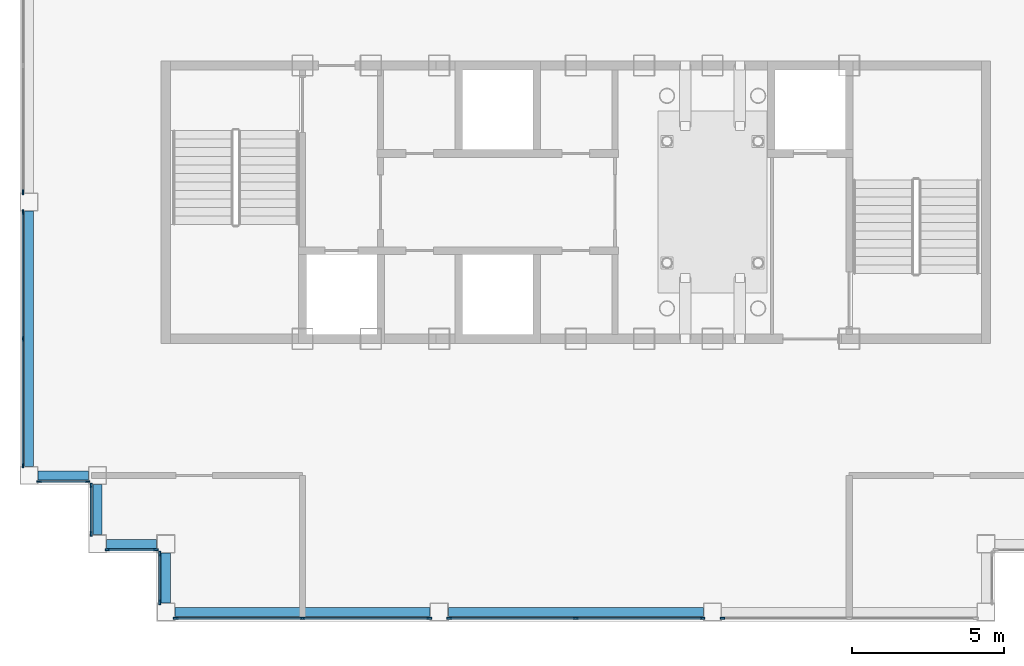
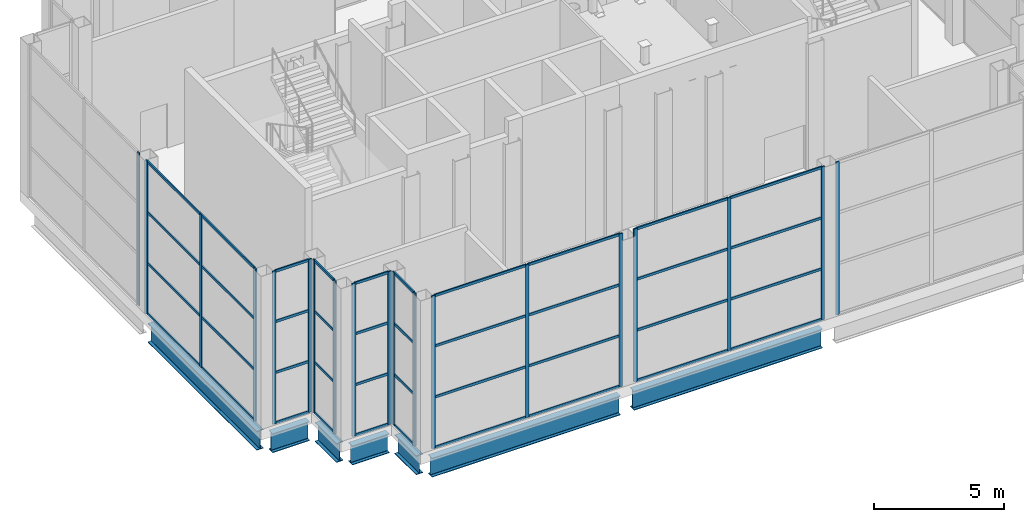
# One storey, part 2 of 15: 59 members, 7 beams, 9 elements without a shape of their own.
"""IFC4 building model written with IfcOpenShell, lengths in metres."""

from ifc_helpers import new_model, si_unit, direction, frame, origin, origin_2d, place, context, subcontext, project, spatial, rectangle, i_section, extrude, material, layer, layer_set, material_profile, profile_set, type_object, element, aggregate, save


model = new_model("IFC4")

# Units and contexts
model_context = context("Model", 3, precision=1e-05, world=origin(), true_north=direction((0.0, 1.0)))
body_context = subcontext(model_context, "Body", "Model", "MODEL_VIEW")
ifc_project = project(units=[si_unit("LENGTHUNIT", "METRE"), si_unit("AREAUNIT", "SQUARE_METRE"), si_unit("VOLUMEUNIT", "CUBIC_METRE"), si_unit("PLANEANGLEUNIT", "RADIAN"), si_unit("MASSUNIT", "GRAM", prefix="KILO")], contexts=[model_context])

# Site, building, storey
site_placement = place(None, origin())
site = spatial("IfcSite", under=ifc_project, at=site_placement, CompositionType="ELEMENT")
building_placement = place(site_placement, origin())
building = spatial("IfcBuilding", under=site, at=building_placement, Name="Caravel Reach Hotel and Residences", CompositionType="ELEMENT")
storey_placement = place(building_placement, frame((0.0, 0.0, 305.60009765625)))
storey = spatial("IfcBuildingStorey", under=building, at=storey_placement, Name="L78", CompositionType="ELEMENT", Elevation=305.60009765625)

# Curtain wall, member
ifc_material_1 = material(Name="Dark low-e glazing in black aluminium frame", Category="aluminium")
ifc_layer = layer(ifc_material_1, 0.199951171875)
ifc_layer_set = layer_set([ifc_layer], Name="CW3 Damper floor glass wall")
curtain_wall_type = type_object("IfcCurtainWallType", Name="CW3 Damper floor glass wall", PredefinedType="NOTDEFINED", material=ifc_layer_set)
curtain_wall_1_placement = place(storey_placement, origin())
curtain_wall_1 = element("IfcCurtainWall", 1, at=curtain_wall_1_placement, inside=storey, type_object=curtain_wall_type, Name="Damper floor glass wall b0", PredefinedType="NOTDEFINED")
ifc_material_2 = material(Name="Anodised aluminium alloy 6063-T5, black", Category="aluminium")
ifc_material_profile_1 = material_profile(ifc_material_2, rectangle(XDim=0.06005859375, YDim=0.159912109375, at=origin_2d()), Name="CW mullion 60 x 160")
ifc_profile_set_1 = profile_set([ifc_material_profile_1], Name="Anodised aluminium alloy 6063-T5, black")
member_type_1 = type_object("IfcMemberType", Name="CW mullion 60 x 160", PredefinedType="MULLION", material=ifc_profile_set_1)
member_1_placement = place(storey_placement, frame((13.300048828125, 27.330078125, 0.0), z_axis=(0.0, 0.0, 1.0), x_axis=(1.0, 0.0, 0.0)))
member_1 = element("IfcMember", 2, at=member_1_placement, type_object=member_type_1, Name="CW3 mullion 3", PredefinedType="MULLION", context=body_context, shape_type="SweptSolid", body=[
    extrude(rectangle(XDim=0.06005859375, YDim=0.159912109375, at=origin_2d()), origin(), (0.0, 0.0, 1.0), 7.199951171875),
])
aggregate(curtain_wall_1, [member_1])

# Curtain wall, members
curtain_wall_2_placement = place(storey_placement, origin())
curtain_wall_2 = element("IfcCurtainWall", 3, at=curtain_wall_2_placement, inside=storey, type_object=curtain_wall_type, Name="Damper floor glass wall b1", PredefinedType="NOTDEFINED")
member_2_placement = place(storey_placement, frame((13.300048828125, 26.669921875, 0.0), z_axis=(0.0, 0.0, 1.0), x_axis=(1.0, 0.0, 0.0)))
member_2 = element("IfcMember", 4, at=member_2_placement, type_object=member_type_1, Name="CW3 mullion 1", PredefinedType="MULLION", context=body_context, shape_type="SweptSolid", body=[
    extrude(rectangle(XDim=0.06005859375, YDim=0.159912109375, at=origin_2d()), origin(), (0.0, 0.0, 1.0), 7.199951171875),
])
member_3_placement = place(storey_placement, frame((13.300048828125, 22.5, 0.0), z_axis=(0.0, 0.0, 1.0), x_axis=(1.0, 0.0, 0.0)))
member_3 = element("IfcMember", 5, at=member_3_placement, type_object=member_type_1, Name="CW3 mullion 2", PredefinedType="MULLION", context=body_context, shape_type="SweptSolid", body=[
    extrude(rectangle(XDim=0.06005859375, YDim=0.159912109375, at=origin_2d()), origin(), (0.0, 0.0, 1.0), 7.199951171875),
])
member_4_placement = place(storey_placement, frame((13.300048828125, 18.330078125, 0.0), z_axis=(0.0, 0.0, 1.0), x_axis=(1.0, 0.0, 0.0)))
member_4 = element("IfcMember", 6, at=member_4_placement, type_object=member_type_1, Name="CW3 mullion 3", PredefinedType="MULLION", context=body_context, shape_type="SweptSolid", body=[
    extrude(rectangle(XDim=0.06005859375, YDim=0.159912109375, at=origin_2d()), origin(), (0.0, 0.0, 1.0), 7.199951171875),
])

curtain_wall_3_placement = place(storey_placement, origin())
curtain_wall_3 = element("IfcCurtainWall", 7, at=curtain_wall_3_placement, inside=storey, type_object=curtain_wall_type, Name="Damper floor glass wall b0", PredefinedType="NOTDEFINED")
member_5_placement = place(storey_placement, frame((13.830078125, 17.800048828125, 0.0), z_axis=(0.0, 0.0, 1.0), x_axis=(0.0, 1.0, 0.0)))
member_5 = element("IfcMember", 8, at=member_5_placement, type_object=member_type_1, Name="CW3 mullion 1", PredefinedType="MULLION", context=body_context, shape_type="SweptSolid", body=[
    extrude(rectangle(XDim=0.06005859375, YDim=0.159912109375, at=origin_2d()), origin(), (0.0, 0.0, 1.0), 7.199951171875),
])
member_6_placement = place(storey_placement, frame((15.419921875, 17.800048828125, 0.0), z_axis=(0.0, 0.0, 1.0), x_axis=(0.0, 1.0, 0.0)))
member_6 = element("IfcMember", 9, at=member_6_placement, type_object=member_type_1, Name="CW3 mullion 2", PredefinedType="MULLION", context=body_context, shape_type="SweptSolid", body=[
    extrude(rectangle(XDim=0.06005859375, YDim=0.159912109375, at=origin_2d()), origin(), (0.0, 0.0, 1.0), 7.199951171875),
])

curtain_wall_4_placement = place(storey_placement, origin())
curtain_wall_4 = element("IfcCurtainWall", 10, at=curtain_wall_4_placement, inside=storey, type_object=curtain_wall_type, Name="Damper floor glass wall b0", PredefinedType="NOTDEFINED")
member_7_placement = place(storey_placement, frame((15.550048828125, 17.669921875, 0.0), z_axis=(0.0, 0.0, 1.0), x_axis=(1.0, 0.0, 0.0)))
member_7 = element("IfcMember", 11, at=member_7_placement, type_object=member_type_1, Name="CW3 mullion 1", PredefinedType="MULLION", context=body_context, shape_type="SweptSolid", body=[
    extrude(rectangle(XDim=0.06005859375, YDim=0.159912109375, at=origin_2d()), origin(), (0.0, 0.0, 1.0), 7.199951171875),
])
member_8_placement = place(storey_placement, frame((15.550048828125, 16.080078125, 0.0), z_axis=(0.0, 0.0, 1.0), x_axis=(1.0, 0.0, 0.0)))
member_8 = element("IfcMember", 12, at=member_8_placement, type_object=member_type_1, Name="CW3 mullion 2", PredefinedType="MULLION", context=body_context, shape_type="SweptSolid", body=[
    extrude(rectangle(XDim=0.06005859375, YDim=0.159912109375, at=origin_2d()), origin(), (0.0, 0.0, 1.0), 7.199951171875),
])

curtain_wall_5_placement = place(storey_placement, origin())
curtain_wall_5 = element("IfcCurtainWall", 13, at=curtain_wall_5_placement, inside=storey, type_object=curtain_wall_type, Name="Damper floor glass wall b0", PredefinedType="NOTDEFINED")
member_9_placement = place(storey_placement, frame((16.080078125, 15.550048828125, 0.0), z_axis=(0.0, 0.0, 1.0), x_axis=(0.0, 1.0, 0.0)))
member_9 = element("IfcMember", 14, at=member_9_placement, type_object=member_type_1, Name="CW3 mullion 1", PredefinedType="MULLION", context=body_context, shape_type="SweptSolid", body=[
    extrude(rectangle(XDim=0.06005859375, YDim=0.159912109375, at=origin_2d()), origin(), (0.0, 0.0, 1.0), 7.199951171875),
])
member_10_placement = place(storey_placement, frame((17.669921875, 15.550048828125, 0.0), z_axis=(0.0, 0.0, 1.0), x_axis=(0.0, 1.0, 0.0)))
member_10 = element("IfcMember", 15, at=member_10_placement, type_object=member_type_1, Name="CW3 mullion 2", PredefinedType="MULLION", context=body_context, shape_type="SweptSolid", body=[
    extrude(rectangle(XDim=0.06005859375, YDim=0.159912109375, at=origin_2d()), origin(), (0.0, 0.0, 1.0), 7.199951171875),
])

curtain_wall_6_placement = place(storey_placement, origin())
curtain_wall_6 = element("IfcCurtainWall", 16, at=curtain_wall_6_placement, inside=storey, type_object=curtain_wall_type, Name="Damper floor glass wall b0", PredefinedType="NOTDEFINED")
member_11_placement = place(storey_placement, frame((17.800048828125, 15.419921875, 0.0), z_axis=(0.0, 0.0, 1.0), x_axis=(1.0, 0.0, 0.0)))
member_11 = element("IfcMember", 17, at=member_11_placement, type_object=member_type_1, Name="CW3 mullion 1", PredefinedType="MULLION", context=body_context, shape_type="SweptSolid", body=[
    extrude(rectangle(XDim=0.06005859375, YDim=0.159912109375, at=origin_2d()), origin(), (0.0, 0.0, 1.0), 7.199951171875),
])
member_12_placement = place(storey_placement, frame((17.800048828125, 13.830078125, 0.0), z_axis=(0.0, 0.0, 1.0), x_axis=(1.0, 0.0, 0.0)))
member_12 = element("IfcMember", 18, at=member_12_placement, type_object=member_type_1, Name="CW3 mullion 2", PredefinedType="MULLION", context=body_context, shape_type="SweptSolid", body=[
    extrude(rectangle(XDim=0.06005859375, YDim=0.159912109375, at=origin_2d()), origin(), (0.0, 0.0, 1.0), 7.199951171875),
])

curtain_wall_7_placement = place(storey_placement, origin())
curtain_wall_7 = element("IfcCurtainWall", 19, at=curtain_wall_7_placement, inside=storey, type_object=curtain_wall_type, Name="Damper floor glass wall b0", PredefinedType="NOTDEFINED")
member_13_placement = place(storey_placement, frame((18.330078125, 13.300048828125, 0.0), z_axis=(0.0, 0.0, 1.0), x_axis=(0.0, 1.0, 0.0)))
member_13 = element("IfcMember", 20, at=member_13_placement, type_object=member_type_1, Name="CW3 mullion 1", PredefinedType="MULLION", context=body_context, shape_type="SweptSolid", body=[
    extrude(rectangle(XDim=0.06005859375, YDim=0.159912109375, at=origin_2d()), origin(), (0.0, 0.0, 1.0), 7.199951171875),
])
member_14_placement = place(storey_placement, frame((22.5, 13.300048828125, 0.0), z_axis=(0.0, 0.0, 1.0), x_axis=(0.0, 1.0, 0.0)))
member_14 = element("IfcMember", 21, at=member_14_placement, type_object=member_type_1, Name="CW3 mullion 2", PredefinedType="MULLION", context=body_context, shape_type="SweptSolid", body=[
    extrude(rectangle(XDim=0.06005859375, YDim=0.159912109375, at=origin_2d()), origin(), (0.0, 0.0, 1.0), 7.199951171875),
])
member_15_placement = place(storey_placement, frame((26.669921875, 13.300048828125, 0.0), z_axis=(0.0, 0.0, 1.0), x_axis=(0.0, 1.0, 0.0)))
member_15 = element("IfcMember", 22, at=member_15_placement, type_object=member_type_1, Name="CW3 mullion 3", PredefinedType="MULLION", context=body_context, shape_type="SweptSolid", body=[
    extrude(rectangle(XDim=0.06005859375, YDim=0.159912109375, at=origin_2d()), origin(), (0.0, 0.0, 1.0), 7.199951171875),
])

curtain_wall_8_placement = place(storey_placement, origin())
curtain_wall_8 = element("IfcCurtainWall", 23, at=curtain_wall_8_placement, inside=storey, type_object=curtain_wall_type, Name="Damper floor glass wall b1", PredefinedType="NOTDEFINED")
member_16_placement = place(storey_placement, frame((27.330078125, 13.300048828125, 0.0), z_axis=(0.0, 0.0, 1.0), x_axis=(0.0, 1.0, 0.0)))
member_16 = element("IfcMember", 24, at=member_16_placement, type_object=member_type_1, Name="CW3 mullion 1", PredefinedType="MULLION", context=body_context, shape_type="SweptSolid", body=[
    extrude(rectangle(XDim=0.06005859375, YDim=0.159912109375, at=origin_2d()), origin(), (0.0, 0.0, 1.0), 7.199951171875),
])
member_17_placement = place(storey_placement, frame((31.5, 13.300048828125, 0.0), z_axis=(0.0, 0.0, 1.0), x_axis=(0.0, 1.0, 0.0)))
member_17 = element("IfcMember", 25, at=member_17_placement, type_object=member_type_1, Name="CW3 mullion 2", PredefinedType="MULLION", context=body_context, shape_type="SweptSolid", body=[
    extrude(rectangle(XDim=0.06005859375, YDim=0.159912109375, at=origin_2d()), origin(), (0.0, 0.0, 1.0), 7.199951171875),
])
member_18_placement = place(storey_placement, frame((35.669921875, 13.300048828125, 0.0), z_axis=(0.0, 0.0, 1.0), x_axis=(0.0, 1.0, 0.0)))
member_18 = element("IfcMember", 26, at=member_18_placement, type_object=member_type_1, Name="CW3 mullion 3", PredefinedType="MULLION", context=body_context, shape_type="SweptSolid", body=[
    extrude(rectangle(XDim=0.06005859375, YDim=0.159912109375, at=origin_2d()), origin(), (0.0, 0.0, 1.0), 7.199951171875),
])

# Curtain wall, member
curtain_wall_9_placement = place(storey_placement, origin())
curtain_wall_9 = element("IfcCurtainWall", 27, at=curtain_wall_9_placement, inside=storey, type_object=curtain_wall_type, Name="Damper floor glass wall b2", PredefinedType="NOTDEFINED")
member_19_placement = place(storey_placement, frame((36.330078125, 13.300048828125, 0.0), z_axis=(0.0, 0.0, 1.0), x_axis=(0.0, 1.0, 0.0)))
member_19 = element("IfcMember", 28, at=member_19_placement, type_object=member_type_1, Name="CW3 mullion 1", PredefinedType="MULLION", context=body_context, shape_type="SweptSolid", body=[
    extrude(rectangle(XDim=0.06005859375, YDim=0.159912109375, at=origin_2d()), origin(), (0.0, 0.0, 1.0), 7.199951171875),
])
aggregate(curtain_wall_9, [member_19])

# Member
ifc_material_3 = material(Name="Anodised aluminium alloy 6063-T5, black", Category="aluminium")
ifc_material_profile_2 = material_profile(ifc_material_3, rectangle(XDim=0.06005859375, YDim=0.1201171875, at=origin_2d()), Name="CW transom 60 x 120")
ifc_profile_set_2 = profile_set([ifc_material_profile_2], Name="Anodised aluminium alloy 6063-T5, black")
member_type_2 = type_object("IfcMemberType", Name="CW transom 60 x 120", PredefinedType="USERDEFINED", material=ifc_profile_set_2)
member_20_placement = place(storey_placement, frame((13.300048828125, 26.639892578125, 0.02978515625), z_axis=(0.0, -1.0, 0.0), x_axis=(1.0, 0.0, 0.0)))
member_20 = element("IfcMember", 29, at=member_20_placement, type_object=member_type_2, Name="CW3 transom 1.1", ObjectType="TRANSOM", PredefinedType="USERDEFINED", context=body_context, shape_type="SweptSolid", body=[
    extrude(rectangle(XDim=0.06005859375, YDim=0.1201171875, at=origin_2d()), origin(), (0.0, 0.0, 1.0), 4.10986328125),
])

member_21_placement = place(storey_placement, frame((13.300048828125, 26.639892578125, 2.39990234375), z_axis=(0.0, -1.0, 0.0), x_axis=(1.0, 0.0, 0.0)))
member_21 = element("IfcMember", 30, at=member_21_placement, type_object=member_type_2, Name="CW3 transom 1.2", ObjectType="TRANSOM", PredefinedType="USERDEFINED", context=body_context, shape_type="SweptSolid", body=[
    extrude(rectangle(XDim=0.06005859375, YDim=0.1201171875, at=origin_2d()), origin(), (0.0, 0.0, 1.0), 4.10986328125),
])

member_22_placement = place(storey_placement, frame((13.300048828125, 26.639892578125, 4.7998046875), z_axis=(0.0, -1.0, 0.0), x_axis=(1.0, 0.0, 0.0)))
member_22 = element("IfcMember", 31, at=member_22_placement, type_object=member_type_2, Name="CW3 transom 1.3", ObjectType="TRANSOM", PredefinedType="USERDEFINED", context=body_context, shape_type="SweptSolid", body=[
    extrude(rectangle(XDim=0.06005859375, YDim=0.1201171875, at=origin_2d()), origin(), (0.0, 0.0, 1.0), 4.10986328125),
])

member_23_placement = place(storey_placement, frame((13.300048828125, 26.639892578125, 7.169921875), z_axis=(0.0, -1.0, 0.0), x_axis=(1.0, 0.0, 0.0)))
member_23 = element("IfcMember", 32, at=member_23_placement, type_object=member_type_2, Name="CW3 transom 1.4", ObjectType="TRANSOM", PredefinedType="USERDEFINED", context=body_context, shape_type="SweptSolid", body=[
    extrude(rectangle(XDim=0.06005859375, YDim=0.1201171875, at=origin_2d()), origin(), (0.0, 0.0, 1.0), 4.10986328125),
])

member_24_placement = place(storey_placement, frame((13.300048828125, 22.469970703125, 0.02978515625), z_axis=(0.0, -1.0, 0.0), x_axis=(1.0, 0.0, 0.0)))
member_24 = element("IfcMember", 33, at=member_24_placement, type_object=member_type_2, Name="CW3 transom 2.1", ObjectType="TRANSOM", PredefinedType="USERDEFINED", context=body_context, shape_type="SweptSolid", body=[
    extrude(rectangle(XDim=0.06005859375, YDim=0.1201171875, at=origin_2d()), origin(), (0.0, 0.0, 1.0), 4.10986328125),
])

member_25_placement = place(storey_placement, frame((13.300048828125, 22.469970703125, 2.39990234375), z_axis=(0.0, -1.0, 0.0), x_axis=(1.0, 0.0, 0.0)))
member_25 = element("IfcMember", 34, at=member_25_placement, type_object=member_type_2, Name="CW3 transom 2.2", ObjectType="TRANSOM", PredefinedType="USERDEFINED", context=body_context, shape_type="SweptSolid", body=[
    extrude(rectangle(XDim=0.06005859375, YDim=0.1201171875, at=origin_2d()), origin(), (0.0, 0.0, 1.0), 4.10986328125),
])

member_26_placement = place(storey_placement, frame((13.300048828125, 22.469970703125, 4.7998046875), z_axis=(0.0, -1.0, 0.0), x_axis=(1.0, 0.0, 0.0)))
member_26 = element("IfcMember", 35, at=member_26_placement, type_object=member_type_2, Name="CW3 transom 2.3", ObjectType="TRANSOM", PredefinedType="USERDEFINED", context=body_context, shape_type="SweptSolid", body=[
    extrude(rectangle(XDim=0.06005859375, YDim=0.1201171875, at=origin_2d()), origin(), (0.0, 0.0, 1.0), 4.10986328125),
])

member_27_placement = place(storey_placement, frame((13.300048828125, 22.469970703125, 7.169921875), z_axis=(0.0, -1.0, 0.0), x_axis=(1.0, 0.0, 0.0)))
member_27 = element("IfcMember", 36, at=member_27_placement, type_object=member_type_2, Name="CW3 transom 2.4", ObjectType="TRANSOM", PredefinedType="USERDEFINED", context=body_context, shape_type="SweptSolid", body=[
    extrude(rectangle(XDim=0.06005859375, YDim=0.1201171875, at=origin_2d()), origin(), (0.0, 0.0, 1.0), 4.10986328125),
])

aggregate(curtain_wall_2, [member_2, member_3, member_4, member_20, member_21, member_22, member_23, member_24, member_25, member_26, member_27])

member_28_placement = place(storey_placement, frame((13.860107421875, 17.800048828125, 0.02978515625), z_axis=(1.0, 0.0, 0.0), x_axis=(0.0, 1.0, 0.0)))
member_28 = element("IfcMember", 37, at=member_28_placement, type_object=member_type_2, Name="CW3 transom 1.1", ObjectType="TRANSOM", PredefinedType="USERDEFINED", context=body_context, shape_type="SweptSolid", body=[
    extrude(rectangle(XDim=0.06005859375, YDim=0.1201171875, at=origin_2d()), origin(), (0.0, 0.0, 1.0), 1.52978515625),
])

member_29_placement = place(storey_placement, frame((13.860107421875, 17.800048828125, 2.39990234375), z_axis=(1.0, 0.0, 0.0), x_axis=(0.0, 1.0, 0.0)))
member_29 = element("IfcMember", 38, at=member_29_placement, type_object=member_type_2, Name="CW3 transom 1.2", ObjectType="TRANSOM", PredefinedType="USERDEFINED", context=body_context, shape_type="SweptSolid", body=[
    extrude(rectangle(XDim=0.06005859375, YDim=0.1201171875, at=origin_2d()), origin(), (0.0, 0.0, 1.0), 1.52978515625),
])

member_30_placement = place(storey_placement, frame((13.860107421875, 17.800048828125, 4.7998046875), z_axis=(1.0, 0.0, 0.0), x_axis=(0.0, 1.0, 0.0)))
member_30 = element("IfcMember", 39, at=member_30_placement, type_object=member_type_2, Name="CW3 transom 1.3", ObjectType="TRANSOM", PredefinedType="USERDEFINED", context=body_context, shape_type="SweptSolid", body=[
    extrude(rectangle(XDim=0.06005859375, YDim=0.1201171875, at=origin_2d()), origin(), (0.0, 0.0, 1.0), 1.52978515625),
])

member_31_placement = place(storey_placement, frame((13.860107421875, 17.800048828125, 7.169921875), z_axis=(1.0, 0.0, 0.0), x_axis=(0.0, 1.0, 0.0)))
member_31 = element("IfcMember", 40, at=member_31_placement, type_object=member_type_2, Name="CW3 transom 1.4", ObjectType="TRANSOM", PredefinedType="USERDEFINED", context=body_context, shape_type="SweptSolid", body=[
    extrude(rectangle(XDim=0.06005859375, YDim=0.1201171875, at=origin_2d()), origin(), (0.0, 0.0, 1.0), 1.52978515625),
])

aggregate(curtain_wall_3, [member_5, member_6, member_28, member_29, member_30, member_31])

member_32_placement = place(storey_placement, frame((15.550048828125, 17.639892578125, 0.02978515625), z_axis=(0.0, -1.0, 0.0), x_axis=(1.0, 0.0, 0.0)))
member_32 = element("IfcMember", 41, at=member_32_placement, type_object=member_type_2, Name="CW3 transom 1.1", ObjectType="TRANSOM", PredefinedType="USERDEFINED", context=body_context, shape_type="SweptSolid", body=[
    extrude(rectangle(XDim=0.06005859375, YDim=0.1201171875, at=origin_2d()), origin(), (0.0, 0.0, 1.0), 1.52978515625),
])

member_33_placement = place(storey_placement, frame((15.550048828125, 17.639892578125, 2.39990234375), z_axis=(0.0, -1.0, 0.0), x_axis=(1.0, 0.0, 0.0)))
member_33 = element("IfcMember", 42, at=member_33_placement, type_object=member_type_2, Name="CW3 transom 1.2", ObjectType="TRANSOM", PredefinedType="USERDEFINED", context=body_context, shape_type="SweptSolid", body=[
    extrude(rectangle(XDim=0.06005859375, YDim=0.1201171875, at=origin_2d()), origin(), (0.0, 0.0, 1.0), 1.52978515625),
])

member_34_placement = place(storey_placement, frame((15.550048828125, 17.639892578125, 4.7998046875), z_axis=(0.0, -1.0, 0.0), x_axis=(1.0, 0.0, 0.0)))
member_34 = element("IfcMember", 43, at=member_34_placement, type_object=member_type_2, Name="CW3 transom 1.3", ObjectType="TRANSOM", PredefinedType="USERDEFINED", context=body_context, shape_type="SweptSolid", body=[
    extrude(rectangle(XDim=0.06005859375, YDim=0.1201171875, at=origin_2d()), origin(), (0.0, 0.0, 1.0), 1.52978515625),
])

member_35_placement = place(storey_placement, frame((15.550048828125, 17.639892578125, 7.169921875), z_axis=(0.0, -1.0, 0.0), x_axis=(1.0, 0.0, 0.0)))
member_35 = element("IfcMember", 44, at=member_35_placement, type_object=member_type_2, Name="CW3 transom 1.4", ObjectType="TRANSOM", PredefinedType="USERDEFINED", context=body_context, shape_type="SweptSolid", body=[
    extrude(rectangle(XDim=0.06005859375, YDim=0.1201171875, at=origin_2d()), origin(), (0.0, 0.0, 1.0), 1.52978515625),
])

aggregate(curtain_wall_4, [member_7, member_8, member_32, member_33, member_34, member_35])

member_36_placement = place(storey_placement, frame((16.110107421875, 15.550048828125, 0.02978515625), z_axis=(1.0, 0.0, 0.0), x_axis=(0.0, 1.0, 0.0)))
member_36 = element("IfcMember", 45, at=member_36_placement, type_object=member_type_2, Name="CW3 transom 1.1", ObjectType="TRANSOM", PredefinedType="USERDEFINED", context=body_context, shape_type="SweptSolid", body=[
    extrude(rectangle(XDim=0.06005859375, YDim=0.1201171875, at=origin_2d()), origin(), (0.0, 0.0, 1.0), 1.52978515625),
])

member_37_placement = place(storey_placement, frame((16.110107421875, 15.550048828125, 2.39990234375), z_axis=(1.0, 0.0, 0.0), x_axis=(0.0, 1.0, 0.0)))
member_37 = element("IfcMember", 46, at=member_37_placement, type_object=member_type_2, Name="CW3 transom 1.2", ObjectType="TRANSOM", PredefinedType="USERDEFINED", context=body_context, shape_type="SweptSolid", body=[
    extrude(rectangle(XDim=0.06005859375, YDim=0.1201171875, at=origin_2d()), origin(), (0.0, 0.0, 1.0), 1.52978515625),
])

member_38_placement = place(storey_placement, frame((16.110107421875, 15.550048828125, 4.7998046875), z_axis=(1.0, 0.0, 0.0), x_axis=(0.0, 1.0, 0.0)))
member_38 = element("IfcMember", 47, at=member_38_placement, type_object=member_type_2, Name="CW3 transom 1.3", ObjectType="TRANSOM", PredefinedType="USERDEFINED", context=body_context, shape_type="SweptSolid", body=[
    extrude(rectangle(XDim=0.06005859375, YDim=0.1201171875, at=origin_2d()), origin(), (0.0, 0.0, 1.0), 1.52978515625),
])

member_39_placement = place(storey_placement, frame((16.110107421875, 15.550048828125, 7.169921875), z_axis=(1.0, 0.0, 0.0), x_axis=(0.0, 1.0, 0.0)))
member_39 = element("IfcMember", 48, at=member_39_placement, type_object=member_type_2, Name="CW3 transom 1.4", ObjectType="TRANSOM", PredefinedType="USERDEFINED", context=body_context, shape_type="SweptSolid", body=[
    extrude(rectangle(XDim=0.06005859375, YDim=0.1201171875, at=origin_2d()), origin(), (0.0, 0.0, 1.0), 1.52978515625),
])

aggregate(curtain_wall_5, [member_9, member_10, member_36, member_37, member_38, member_39])

member_40_placement = place(storey_placement, frame((17.800048828125, 15.389892578125, 0.02978515625), z_axis=(0.0, -1.0, 0.0), x_axis=(1.0, 0.0, 0.0)))
member_40 = element("IfcMember", 49, at=member_40_placement, type_object=member_type_2, Name="CW3 transom 1.1", ObjectType="TRANSOM", PredefinedType="USERDEFINED", context=body_context, shape_type="SweptSolid", body=[
    extrude(rectangle(XDim=0.06005859375, YDim=0.1201171875, at=origin_2d()), origin(), (0.0, 0.0, 1.0), 1.52978515625),
])

member_41_placement = place(storey_placement, frame((17.800048828125, 15.389892578125, 2.39990234375), z_axis=(0.0, -1.0, 0.0), x_axis=(1.0, 0.0, 0.0)))
member_41 = element("IfcMember", 50, at=member_41_placement, type_object=member_type_2, Name="CW3 transom 1.2", ObjectType="TRANSOM", PredefinedType="USERDEFINED", context=body_context, shape_type="SweptSolid", body=[
    extrude(rectangle(XDim=0.06005859375, YDim=0.1201171875, at=origin_2d()), origin(), (0.0, 0.0, 1.0), 1.52978515625),
])

member_42_placement = place(storey_placement, frame((17.800048828125, 15.389892578125, 4.7998046875), z_axis=(0.0, -1.0, 0.0), x_axis=(1.0, 0.0, 0.0)))
member_42 = element("IfcMember", 51, at=member_42_placement, type_object=member_type_2, Name="CW3 transom 1.3", ObjectType="TRANSOM", PredefinedType="USERDEFINED", context=body_context, shape_type="SweptSolid", body=[
    extrude(rectangle(XDim=0.06005859375, YDim=0.1201171875, at=origin_2d()), origin(), (0.0, 0.0, 1.0), 1.52978515625),
])

member_43_placement = place(storey_placement, frame((17.800048828125, 15.389892578125, 7.169921875), z_axis=(0.0, -1.0, 0.0), x_axis=(1.0, 0.0, 0.0)))
member_43 = element("IfcMember", 52, at=member_43_placement, type_object=member_type_2, Name="CW3 transom 1.4", ObjectType="TRANSOM", PredefinedType="USERDEFINED", context=body_context, shape_type="SweptSolid", body=[
    extrude(rectangle(XDim=0.06005859375, YDim=0.1201171875, at=origin_2d()), origin(), (0.0, 0.0, 1.0), 1.52978515625),
])

aggregate(curtain_wall_6, [member_11, member_12, member_40, member_41, member_42, member_43])

member_44_placement = place(storey_placement, frame((18.360107421875, 13.300048828125, 0.02978515625), z_axis=(1.0, 0.0, 0.0), x_axis=(0.0, 1.0, 0.0)))
member_44 = element("IfcMember", 53, at=member_44_placement, type_object=member_type_2, Name="CW3 transom 1.1", ObjectType="TRANSOM", PredefinedType="USERDEFINED", context=body_context, shape_type="SweptSolid", body=[
    extrude(rectangle(XDim=0.06005859375, YDim=0.1201171875, at=origin_2d()), origin(), (0.0, 0.0, 1.0), 4.10986328125),
])

member_45_placement = place(storey_placement, frame((18.360107421875, 13.300048828125, 2.39990234375), z_axis=(1.0, 0.0, 0.0), x_axis=(0.0, 1.0, 0.0)))
member_45 = element("IfcMember", 54, at=member_45_placement, type_object=member_type_2, Name="CW3 transom 1.2", ObjectType="TRANSOM", PredefinedType="USERDEFINED", context=body_context, shape_type="SweptSolid", body=[
    extrude(rectangle(XDim=0.06005859375, YDim=0.1201171875, at=origin_2d()), origin(), (0.0, 0.0, 1.0), 4.10986328125),
])

member_46_placement = place(storey_placement, frame((18.360107421875, 13.300048828125, 4.7998046875), z_axis=(1.0, 0.0, 0.0), x_axis=(0.0, 1.0, 0.0)))
member_46 = element("IfcMember", 55, at=member_46_placement, type_object=member_type_2, Name="CW3 transom 1.3", ObjectType="TRANSOM", PredefinedType="USERDEFINED", context=body_context, shape_type="SweptSolid", body=[
    extrude(rectangle(XDim=0.06005859375, YDim=0.1201171875, at=origin_2d()), origin(), (0.0, 0.0, 1.0), 4.10986328125),
])

member_47_placement = place(storey_placement, frame((18.360107421875, 13.300048828125, 7.169921875), z_axis=(1.0, 0.0, 0.0), x_axis=(0.0, 1.0, 0.0)))
member_47 = element("IfcMember", 56, at=member_47_placement, type_object=member_type_2, Name="CW3 transom 1.4", ObjectType="TRANSOM", PredefinedType="USERDEFINED", context=body_context, shape_type="SweptSolid", body=[
    extrude(rectangle(XDim=0.06005859375, YDim=0.1201171875, at=origin_2d()), origin(), (0.0, 0.0, 1.0), 4.10986328125),
])

member_48_placement = place(storey_placement, frame((22.530029296875, 13.300048828125, 0.02978515625), z_axis=(1.0, 0.0, 0.0), x_axis=(0.0, 1.0, 0.0)))
member_48 = element("IfcMember", 57, at=member_48_placement, type_object=member_type_2, Name="CW3 transom 2.1", ObjectType="TRANSOM", PredefinedType="USERDEFINED", context=body_context, shape_type="SweptSolid", body=[
    extrude(rectangle(XDim=0.06005859375, YDim=0.1201171875, at=origin_2d()), origin(), (0.0, 0.0, 1.0), 4.10986328125),
])

member_49_placement = place(storey_placement, frame((22.530029296875, 13.300048828125, 2.39990234375), z_axis=(1.0, 0.0, 0.0), x_axis=(0.0, 1.0, 0.0)))
member_49 = element("IfcMember", 58, at=member_49_placement, type_object=member_type_2, Name="CW3 transom 2.2", ObjectType="TRANSOM", PredefinedType="USERDEFINED", context=body_context, shape_type="SweptSolid", body=[
    extrude(rectangle(XDim=0.06005859375, YDim=0.1201171875, at=origin_2d()), origin(), (0.0, 0.0, 1.0), 4.10986328125),
])

member_50_placement = place(storey_placement, frame((22.530029296875, 13.300048828125, 4.7998046875), z_axis=(1.0, 0.0, 0.0), x_axis=(0.0, 1.0, 0.0)))
member_50 = element("IfcMember", 59, at=member_50_placement, type_object=member_type_2, Name="CW3 transom 2.3", ObjectType="TRANSOM", PredefinedType="USERDEFINED", context=body_context, shape_type="SweptSolid", body=[
    extrude(rectangle(XDim=0.06005859375, YDim=0.1201171875, at=origin_2d()), origin(), (0.0, 0.0, 1.0), 4.10986328125),
])

member_51_placement = place(storey_placement, frame((22.530029296875, 13.300048828125, 7.169921875), z_axis=(1.0, 0.0, 0.0), x_axis=(0.0, 1.0, 0.0)))
member_51 = element("IfcMember", 60, at=member_51_placement, type_object=member_type_2, Name="CW3 transom 2.4", ObjectType="TRANSOM", PredefinedType="USERDEFINED", context=body_context, shape_type="SweptSolid", body=[
    extrude(rectangle(XDim=0.06005859375, YDim=0.1201171875, at=origin_2d()), origin(), (0.0, 0.0, 1.0), 4.10986328125),
])

aggregate(curtain_wall_7, [member_13, member_14, member_15, member_44, member_45, member_46, member_47, member_48, member_49, member_50, member_51])

member_52_placement = place(storey_placement, frame((27.360107421875, 13.300048828125, 0.02978515625), z_axis=(1.0, 0.0, 0.0), x_axis=(0.0, 1.0, 0.0)))
member_52 = element("IfcMember", 61, at=member_52_placement, type_object=member_type_2, Name="CW3 transom 1.1", ObjectType="TRANSOM", PredefinedType="USERDEFINED", context=body_context, shape_type="SweptSolid", body=[
    extrude(rectangle(XDim=0.06005859375, YDim=0.1201171875, at=origin_2d()), origin(), (0.0, 0.0, 1.0), 4.10986328125),
])

member_53_placement = place(storey_placement, frame((27.360107421875, 13.300048828125, 2.39990234375), z_axis=(1.0, 0.0, 0.0), x_axis=(0.0, 1.0, 0.0)))
member_53 = element("IfcMember", 62, at=member_53_placement, type_object=member_type_2, Name="CW3 transom 1.2", ObjectType="TRANSOM", PredefinedType="USERDEFINED", context=body_context, shape_type="SweptSolid", body=[
    extrude(rectangle(XDim=0.06005859375, YDim=0.1201171875, at=origin_2d()), origin(), (0.0, 0.0, 1.0), 4.10986328125),
])

member_54_placement = place(storey_placement, frame((27.360107421875, 13.300048828125, 4.7998046875), z_axis=(1.0, 0.0, 0.0), x_axis=(0.0, 1.0, 0.0)))
member_54 = element("IfcMember", 63, at=member_54_placement, type_object=member_type_2, Name="CW3 transom 1.3", ObjectType="TRANSOM", PredefinedType="USERDEFINED", context=body_context, shape_type="SweptSolid", body=[
    extrude(rectangle(XDim=0.06005859375, YDim=0.1201171875, at=origin_2d()), origin(), (0.0, 0.0, 1.0), 4.10986328125),
])

member_55_placement = place(storey_placement, frame((27.360107421875, 13.300048828125, 7.169921875), z_axis=(1.0, 0.0, 0.0), x_axis=(0.0, 1.0, 0.0)))
member_55 = element("IfcMember", 64, at=member_55_placement, type_object=member_type_2, Name="CW3 transom 1.4", ObjectType="TRANSOM", PredefinedType="USERDEFINED", context=body_context, shape_type="SweptSolid", body=[
    extrude(rectangle(XDim=0.06005859375, YDim=0.1201171875, at=origin_2d()), origin(), (0.0, 0.0, 1.0), 4.10986328125),
])

member_56_placement = place(storey_placement, frame((31.530029296875, 13.300048828125, 0.02978515625), z_axis=(1.0, 0.0, 0.0), x_axis=(0.0, 1.0, 0.0)))
member_56 = element("IfcMember", 65, at=member_56_placement, type_object=member_type_2, Name="CW3 transom 2.1", ObjectType="TRANSOM", PredefinedType="USERDEFINED", context=body_context, shape_type="SweptSolid", body=[
    extrude(rectangle(XDim=0.06005859375, YDim=0.1201171875, at=origin_2d()), origin(), (0.0, 0.0, 1.0), 4.10986328125),
])

member_57_placement = place(storey_placement, frame((31.530029296875, 13.300048828125, 2.39990234375), z_axis=(1.0, 0.0, 0.0), x_axis=(0.0, 1.0, 0.0)))
member_57 = element("IfcMember", 66, at=member_57_placement, type_object=member_type_2, Name="CW3 transom 2.2", ObjectType="TRANSOM", PredefinedType="USERDEFINED", context=body_context, shape_type="SweptSolid", body=[
    extrude(rectangle(XDim=0.06005859375, YDim=0.1201171875, at=origin_2d()), origin(), (0.0, 0.0, 1.0), 4.10986328125),
])

member_58_placement = place(storey_placement, frame((31.530029296875, 13.300048828125, 4.7998046875), z_axis=(1.0, 0.0, 0.0), x_axis=(0.0, 1.0, 0.0)))
member_58 = element("IfcMember", 67, at=member_58_placement, type_object=member_type_2, Name="CW3 transom 2.3", ObjectType="TRANSOM", PredefinedType="USERDEFINED", context=body_context, shape_type="SweptSolid", body=[
    extrude(rectangle(XDim=0.06005859375, YDim=0.1201171875, at=origin_2d()), origin(), (0.0, 0.0, 1.0), 4.10986328125),
])

member_59_placement = place(storey_placement, frame((31.530029296875, 13.300048828125, 7.169921875), z_axis=(1.0, 0.0, 0.0), x_axis=(0.0, 1.0, 0.0)))
member_59 = element("IfcMember", 68, at=member_59_placement, type_object=member_type_2, Name="CW3 transom 2.4", ObjectType="TRANSOM", PredefinedType="USERDEFINED", context=body_context, shape_type="SweptSolid", body=[
    extrude(rectangle(XDim=0.06005859375, YDim=0.1201171875, at=origin_2d()), origin(), (0.0, 0.0, 1.0), 4.10986328125),
])

aggregate(curtain_wall_8, [member_16, member_17, member_18, member_52, member_53, member_54, member_55, member_56, member_57, member_58, member_59])

# Beams
ifc_material_4 = material(Name="Structural steel Q355B", Category="steel")
ifc_material_profile_3 = material_profile(ifc_material_4, i_section(OverallWidth=0.300048828125, OverallDepth=0.89990234375, WebThickness=0.01611328125, FlangeThickness=0.028076171875, FilletRadius=0.01806640625, at=origin_2d()), Name="HN 900x300x16x28")
ifc_profile_set_3 = profile_set([ifc_material_profile_3], Name="Structural steel Q355B")
beam_type = type_object("IfcBeamType", Name="Spandrel beam HN 900x300x16x28", PredefinedType="SPANDREL", material=ifc_profile_set_3)
beam_placement = place(storey_placement, frame((13.5, 26.699951171875, -0.9501953125), z_axis=(0.0, -1.0, 0.0), x_axis=(1.0, 0.0, 0.0)))
element("IfcBeam", 69, at=beam_placement, inside=storey, type_object=beam_type, Name="SP3 HN 900x300x16x28", PredefinedType="SPANDREL", context=body_context, shape_type="SweptSolid", body=[
    extrude(i_section(OverallWidth=0.300048828125, OverallDepth=0.89990234375, WebThickness=0.01611328125, FlangeThickness=0.028076171875, FilletRadius=0.01806640625, at=origin_2d()), origin(), (0.0, 0.0, 1.0), 8.39990234375),
])
for number, where, z_axis, x_axis, name in (
    (70, (13.800048828125, 18.0, -0.9501953125), (1.0, 0.0, 0.0), (0.0, 1.0, 0.0), "SP3 HN 900x300x16x28"),
    (71, (15.75, 17.699951171875, -0.9501953125), (0.0, -1.0, 0.0), (1.0, 0.0, 0.0), "SP3 HN 900x300x16x28"),
    (72, (16.050048828125, 15.75, -0.9501953125), (1.0, 0.0, 0.0), (0.0, 1.0, 0.0), "SP3 HN 900x300x16x28"),
    (73, (18.0, 15.449951171875, -0.9501953125), (0.0, -1.0, 0.0), (1.0, 0.0, 0.0), "SP3 HN 900x300x16x28"),
):
    element("IfcBeam", number, at=place(storey_placement, frame(where, z_axis=z_axis, x_axis=x_axis)), inside=storey, type_object=beam_type, Name=name, PredefinedType="SPANDREL", context=body_context, shape_type="SweptSolid", body=[
        extrude(i_section(OverallWidth=0.300048828125, OverallDepth=0.89990234375, WebThickness=0.01611328125, FlangeThickness=0.028076171875, FilletRadius=0.01806640625, at=origin_2d()), origin(), (0.0, 0.0, 1.0), 1.64990234375),
    ])
for number, where, z_axis, x_axis, name in (
    (74, (18.300048828125, 13.5, -0.9501953125), (1.0, 0.0, 0.0), (0.0, 1.0, 0.0), "SP3 HN 900x300x16x28"),
    (75, (27.300048828125, 13.5, -0.9501953125), (1.0, 0.0, 0.0), (0.0, 1.0, 0.0), "SP3 HN 900x300x16x28"),
):
    element("IfcBeam", number, at=place(storey_placement, frame(where, z_axis=z_axis, x_axis=x_axis)), inside=storey, type_object=beam_type, Name=name, PredefinedType="SPANDREL", context=body_context, shape_type="SweptSolid", body=[
        extrude(i_section(OverallWidth=0.300048828125, OverallDepth=0.89990234375, WebThickness=0.01611328125, FlangeThickness=0.028076171875, FilletRadius=0.01806640625, at=origin_2d()), origin(), (0.0, 0.0, 1.0), 8.39990234375),
    ])

save(model, "model.ifc")
